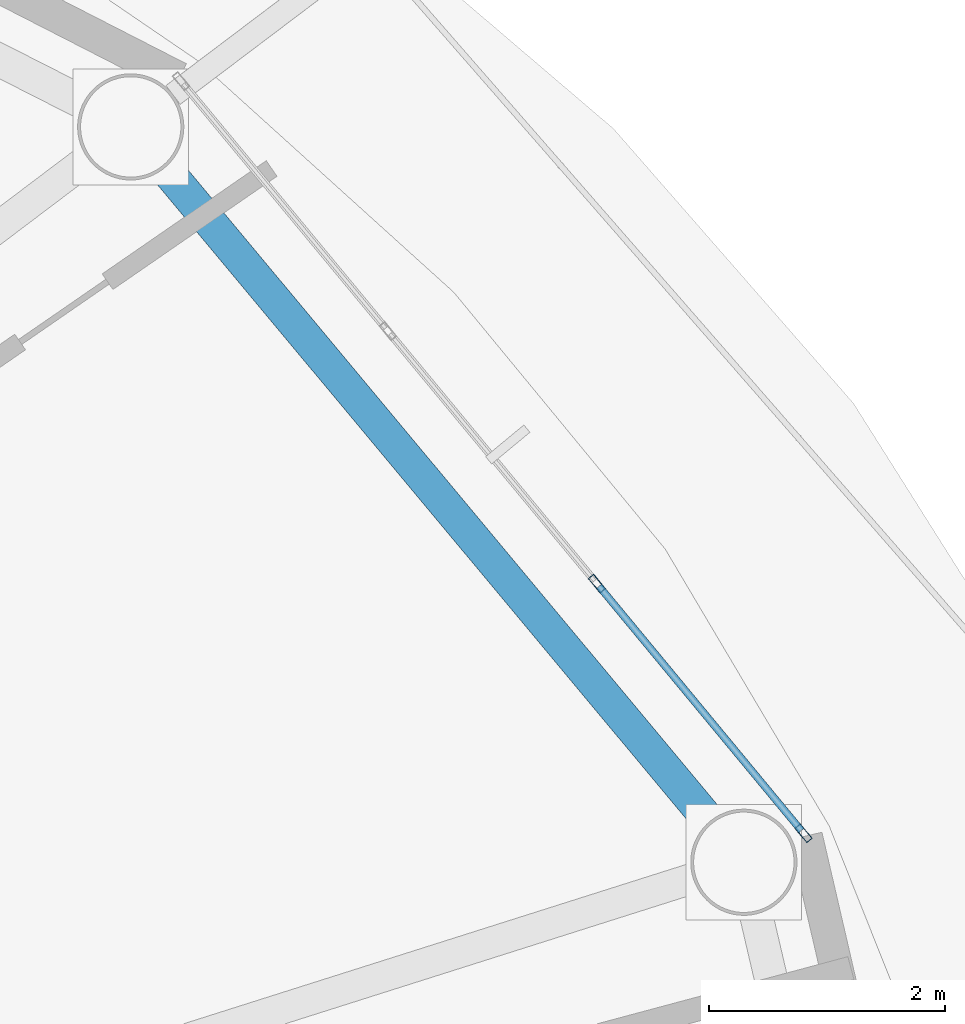
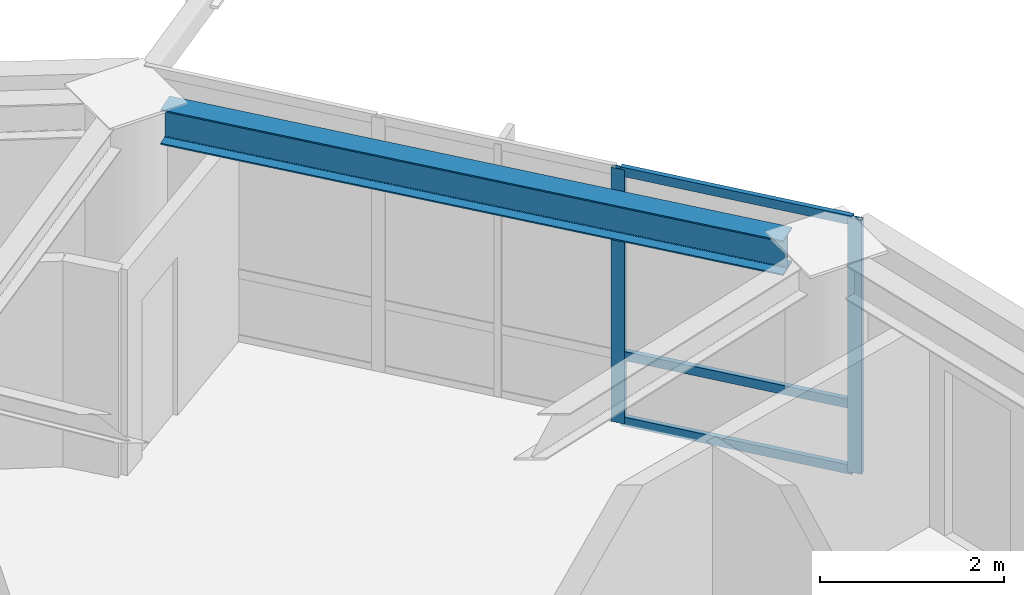
# One storey, part 7 of 23: 5 members, 1 beam, 1 element without a shape of its own.
"""IFC4 building model written with IfcOpenShell, lengths in metres."""

from ifc_helpers import new_model, si_unit, direction, frame, origin, origin_2d, place, context, subcontext, project, spatial, hollow_rectangle, i_section, extrude, material, layer, layer_set, material_profile, profile_set, type_object, element, aggregate, save


model = new_model("IFC4")

# Units and contexts
model_context = context("Model", 3, precision=1e-05, world=origin(), true_north=direction((0.0, 1.0)))
body_context = subcontext(model_context, "Body", "Model", "MODEL_VIEW")
ifc_project = project(units=[si_unit("LENGTHUNIT", "METRE"), si_unit("AREAUNIT", "SQUARE_METRE"), si_unit("VOLUMEUNIT", "CUBIC_METRE"), si_unit("PLANEANGLEUNIT", "RADIAN"), si_unit("MASSUNIT", "GRAM", prefix="KILO")], contexts=[model_context])

# Site, building, storey
site_placement = place(None, origin())
site = spatial("IfcSite", under=ifc_project, at=site_placement, CompositionType="ELEMENT")
building_placement = place(site_placement, origin())
building = spatial("IfcBuilding", under=site, at=building_placement, Name="Sarneth Arch Tower", CompositionType="ELEMENT")
storey_placement = place(building_placement, frame((0.0, 0.0, 262.199951171875)))
storey = spatial("IfcBuildingStorey", under=building, at=storey_placement, Name="L67", CompositionType="ELEMENT", Elevation=262.199951171875)

# Beam
ifc_material_1 = material(Name="Steel S355", Category="steel")
ifc_material_profile_1 = material_profile(ifc_material_1, i_section(OverallWidth=0.280029296875, OverallDepth=0.462890625, WebThickness=0.0107421875, FlangeThickness=0.017333984375, FilletRadius=0.01806640625, at=origin_2d()), Name="W460x113")
ifc_profile_set_1 = profile_set([ifc_material_profile_1], Name="Steel S355")
beam_type = type_object("IfcBeamType", Name="BM-RAD-460A", PredefinedType="BEAM", material=ifc_profile_set_1)
beam_placement = place(storey_placement, frame((70.880615234375, 49.693115234375, 3.138427734375), z_axis=(-0.640390876881, 0.768049168222, 0.0), x_axis=(-0.768049168222, -0.640390876881, 0.0)))
element("IfcBeam", 1, at=beam_placement, inside=storey, type_object=beam_type, Name="L67 Perimeter spandrel beam 02", PredefinedType="BEAM", context=body_context, shape_type="SweptSolid", body=[
    extrude(i_section(OverallWidth=0.280029296875, OverallDepth=0.462890625, WebThickness=0.0107421875, FlangeThickness=0.017333984375, FilletRadius=0.01806640625, at=origin_2d()), origin(), (0.0, 0.0, 1.0), 7.2099609375),
])

# Curtain wall, members
ifc_material_2 = material(Name="Anodised aluminium Type AA25 and solar-control low-e laminated IGU", Category="aluminium")
ifc_layer = layer(ifc_material_2, 0.179931640625)
ifc_layer_set = layer_set([ifc_layer], Name="Anodised aluminium Type AA25 and solar-control low-e laminated IGU")
curtain_wall_type = type_object("IfcCurtainWallType", Name="CW-RES-HIGH", PredefinedType="NOTDEFINED", material=ifc_layer_set)
curtain_wall_placement = place(storey_placement, origin())
curtain_wall = element("IfcCurtainWall", 2, at=curtain_wall_placement, inside=storey, type_object=curtain_wall_type, Name="L67 Unitised curtain wall facet 02", PredefinedType="NOTDEFINED")
ifc_material_3 = material(Name="Anodised Aluminium 6063-T6", Category="aluminium")
ifc_material_profile_2 = material_profile(ifc_material_3, hollow_rectangle(XDim=0.06005859375, YDim=0.159912109375, WallThickness=0.00390625, at=origin_2d()), Name="AL-MULL-160x60x4")
ifc_profile_set_2 = profile_set([ifc_material_profile_2], Name="Anodised Aluminium 6063-T6")
member_type_1 = type_object("IfcMemberType", Name="CW-MULLION", PredefinedType="MULLION", material=ifc_profile_set_2)
member_1_placement = place(storey_placement, frame((71.674560546875, 49.592529296875, 0.0), z_axis=(0.0, 0.0, 1.0), x_axis=(-0.770359245933, -0.637610094184, 0.0)))
member_1 = element("IfcMember", 3, at=member_1_placement, type_object=member_type_1, Name="CW-SYS-6 mullion 1", PredefinedType="MULLION", context=body_context, shape_type="SweptSolid", body=[
    extrude(hollow_rectangle(XDim=0.06005859375, YDim=0.159912109375, WallThickness=0.00390625, at=origin_2d()), origin(), (0.0, 0.0, 1.0), 3.3701171875),
])
member_2_placement = place(storey_placement, frame((69.92333984375, 51.70849609375, 0.0), z_axis=(0.0, 0.0, 1.0), x_axis=(-0.770359245933, -0.637610094184, 0.0)))
member_2 = element("IfcMember", 4, at=member_2_placement, type_object=member_type_1, Name="CW-SYS-6 mullion 2", PredefinedType="MULLION", context=body_context, shape_type="SweptSolid", body=[
    extrude(hollow_rectangle(XDim=0.06005859375, YDim=0.159912109375, WallThickness=0.00390625, at=origin_2d()), origin(), (0.0, 0.0, 1.0), 3.3701171875),
])
ifc_material_4 = material(Name="Anodised Aluminium 6063-T6", Category="aluminium")
ifc_material_profile_3 = material_profile(ifc_material_4, hollow_rectangle(XDim=0.06005859375, YDim=0.1201171875, WallThickness=0.00390625, at=origin_2d()), Name="AL-TRAN-120x60x4")
ifc_profile_set_3 = profile_set([ifc_material_profile_3], Name="Anodised Aluminium 6063-T6")
member_type_2 = type_object("IfcMemberType", Name="CW-TRANSOM", PredefinedType="USERDEFINED", material=ifc_profile_set_3)
member_3_placement = place(storey_placement, frame((71.655517578125, 49.61572265625, 0.030029296875), z_axis=(-0.637651400067, 0.770325056059, 0.0), x_axis=(-0.770325056059, -0.637651400067, 0.0)))
member_3 = element("IfcMember", 5, at=member_3_placement, type_object=member_type_2, Name="CW-SYS-6 transom 1.1", ObjectType="TRANSOM", PredefinedType="USERDEFINED", context=body_context, shape_type="SweptSolid", body=[
    extrude(hollow_rectangle(XDim=0.06005859375, YDim=0.1201171875, WallThickness=0.00390625, at=origin_2d()), origin(), (0.0, 0.0, 1.0), 2.6865234375),
])
member_4_placement = place(storey_placement, frame((71.655517578125, 49.61572265625, 0.900146484375), z_axis=(-0.637651400067, 0.770325056059, 0.0), x_axis=(-0.770325056059, -0.637651400067, 0.0)))
member_4 = element("IfcMember", 6, at=member_4_placement, type_object=member_type_2, Name="CW-SYS-6 transom 1.2", ObjectType="TRANSOM", PredefinedType="USERDEFINED", context=body_context, shape_type="SweptSolid", body=[
    extrude(hollow_rectangle(XDim=0.06005859375, YDim=0.1201171875, WallThickness=0.00390625, at=origin_2d()), origin(), (0.0, 0.0, 1.0), 2.6865234375),
])
member_5_placement = place(storey_placement, frame((71.655517578125, 49.61572265625, 3.340087890625), z_axis=(-0.637651400067, 0.770325056059, 0.0), x_axis=(-0.770325056059, -0.637651400067, 0.0)))
member_5 = element("IfcMember", 7, at=member_5_placement, type_object=member_type_2, Name="CW-SYS-6 transom 1.3", ObjectType="TRANSOM", PredefinedType="USERDEFINED", context=body_context, shape_type="SweptSolid", body=[
    extrude(hollow_rectangle(XDim=0.06005859375, YDim=0.1201171875, WallThickness=0.00390625, at=origin_2d()), origin(), (0.0, 0.0, 1.0), 2.6865234375),
])
aggregate(curtain_wall, [member_1, member_2, member_3, member_4, member_5])

save(model, "model.ifc")
